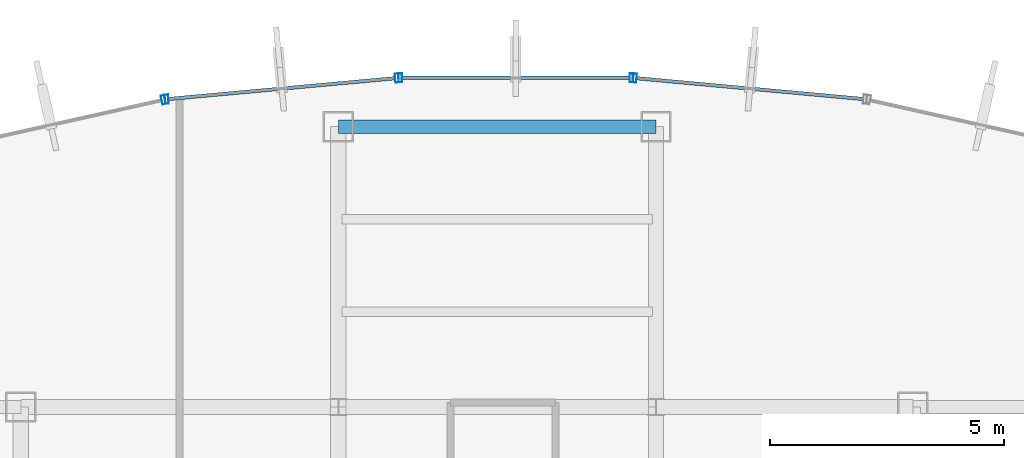
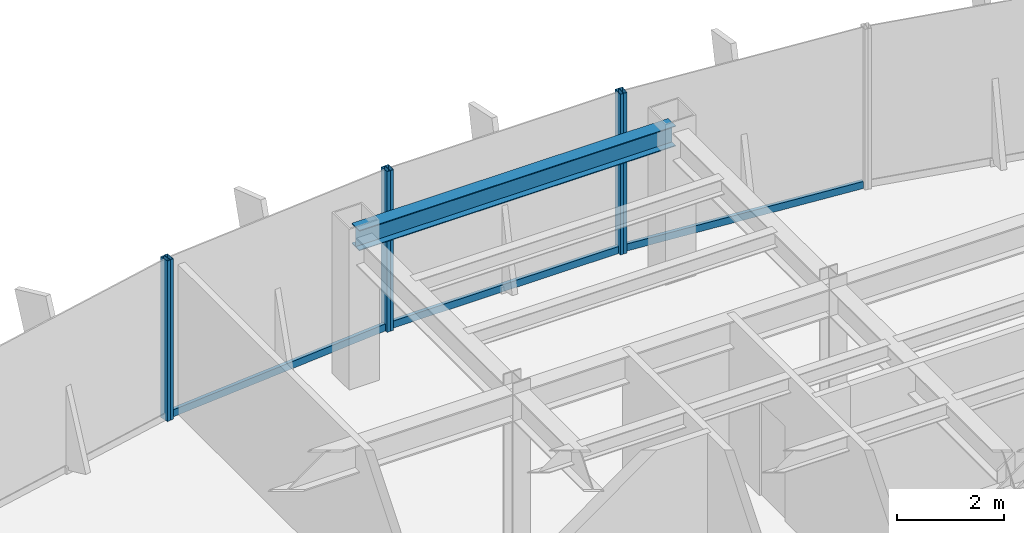
# One storey, part 16 of 25: 9 members, 1 beam, 4 elements without a shape of their own.
"""IFC4 building model written with IfcOpenShell, lengths in metres."""

from ifc_helpers import new_model, si_unit, derived_unit, direction, frame, origin, origin_2d, place, context, subcontext, project, spatial, hollow_rectangle, i_section, extrude, source, transform, mapped, material, material_profile, profile_set, type_object, element, aggregate, save


model = new_model("IFC4")

# Units and contexts
model_context = context("Model", 3, precision=1e-05, world=origin(), true_north=direction((0.0, 1.0)))
body_context = subcontext(model_context, "Body", "Model", "MODEL_VIEW")
ifc_project = project(units=[si_unit("LENGTHUNIT", "METRE"), si_unit("AREAUNIT", "SQUARE_METRE"), si_unit("VOLUMEUNIT", "CUBIC_METRE"), si_unit("PLANEANGLEUNIT", "RADIAN"), si_unit("MASSUNIT", "GRAM", prefix="KILO"), derived_unit("THERMALTRANSMITTANCEUNIT", [(si_unit("POWERUNIT", "WATT"), 1), (si_unit("LENGTHUNIT", "METRE"), -2), (si_unit("THERMODYNAMICTEMPERATUREUNIT", "KELVIN"), -1)])], contexts=[model_context])

# Site, building, storey
site_placement = place(None, origin())
site = spatial("IfcSite", under=ifc_project, at=site_placement, CompositionType="ELEMENT")
building_placement = place(site_placement, origin())
building = spatial("IfcBuilding", under=site, at=building_placement, Name="Skarnbrae Concourse Arena and Tower", CompositionType="ELEMENT")
storey_placement = place(building_placement, frame((0.0, 0.0, 147.89990234375)))
storey = spatial("IfcBuildingStorey", under=building, at=storey_placement, Name="L37", CompositionType="ELEMENT", Elevation=147.89990234375)

# Beam
ifc_material_1 = material(Name="Steel CSA G40.21 350W", Category="steel")
ifc_material_profile_1 = material_profile(ifc_material_1, i_section(OverallWidth=0.280029296875, OverallDepth=0.462890625, WebThickness=0.0107421875, FlangeThickness=0.017333984375, at=origin_2d()), Name="W460X113")
ifc_profile_set_1 = profile_set([ifc_material_profile_1], Name="Steel CSA G40.21 350W")
beam_type = type_object("IfcBeamType", Name="BM-SPAN-W460X113", PredefinedType="SPANDREL", material=ifc_profile_set_1)
shared_shape_1 = source(origin(), body_context, "Body", "SweptSolid", [
    extrude(i_section(OverallWidth=0.280029296875, OverallDepth=0.462890625, WebThickness=0.0107421875, FlangeThickness=0.017333984375, at=origin_2d()), origin(), (0.0, 0.0, 1.0), 6.800048828125),
])
beam_placement = place(storey_placement, frame((21.199951171875, 40.39990234375, 3.168701171875), z_axis=(1.0, 0.0, 0.0), x_axis=(0.0, 1.0, 0.0)))
element("IfcBeam", 1, at=beam_placement, inside=storey, type_object=beam_type, Name="L37 Perimeter spandrel Y40.4-1", PredefinedType="SPANDREL", context=body_context, shape_type="MappedRepresentation", body=[
    mapped(shared_shape_1, transform((0.0, 0.0, 0.0))),
])

# Curtain wall, member
ifc_material_2 = material(Name="Bronze anodised aluminium 6063-T6", Category="aluminium")
curtain_wall_type = type_object("IfcCurtainWallType", Name="CW-SYS-04-MIDZONE", PredefinedType="USERDEFINED", material=ifc_material_2)
curtain_wall_1_placement = place(storey_placement, origin())
curtain_wall_1 = element("IfcCurtainWall", 2, at=curtain_wall_1_placement, inside=storey, type_object=curtain_wall_type, Name="L37 Unitised curtain wall CW-L37-E10", ObjectType="UNITISED CURTAIN WALL", PredefinedType="USERDEFINED")
ifc_material_profile_2 = material_profile(ifc_material_2, hollow_rectangle(XDim=0.074951171875, YDim=0.195068359375, WallThickness=0.00439453125, at=origin_2d()), Name="ALU-MULL-75X195")
ifc_profile_set_2 = profile_set([ifc_material_profile_2], Name="Bronze anodised aluminium 6063-T6")
member_type_1 = type_object("IfcMemberType", Name="CWM-CW-04", PredefinedType="MULLION", material=ifc_profile_set_2)
shared_shape_2 = source(origin(), body_context, "Body", "SweptSolid", [
    extrude(hollow_rectangle(XDim=0.074951171875, YDim=0.195068359375, WallThickness=0.00439453125, at=origin_2d()), origin(), (0.0, 0.0, 1.0), 3.650146484375),
])
member_1_placement = place(storey_placement, frame((27.548583984375, 41.442138671875, 0.0), z_axis=(0.0, 0.0, 1.0), x_axis=(-0.995819926016, 0.091338244731, 0.0)))
member_1 = element("IfcMember", 3, at=member_1_placement, type_object=member_type_1, Name="CW-L37-E10 Mullion 2", PredefinedType="MULLION", context=body_context, shape_type="MappedRepresentation", body=[
    mapped(shared_shape_2, transform((0.0, 0.0, 0.0))),
])

# Curtain wall, members
curtain_wall_2_placement = place(storey_placement, origin())
curtain_wall_2 = element("IfcCurtainWall", 4, at=curtain_wall_2_placement, inside=storey, type_object=curtain_wall_type, Name="L37 Unitised curtain wall CW-L37-E11", ObjectType="UNITISED CURTAIN WALL", PredefinedType="USERDEFINED")
member_2_placement = place(storey_placement, frame((27.473876953125, 41.445556640625, 0.0), z_axis=(0.0, 0.0, 1.0), x_axis=(-1.0, 0.0, 0.0)))
member_2 = element("IfcMember", 5, at=member_2_placement, type_object=member_type_1, Name="CW-L37-E11 Mullion 1", PredefinedType="MULLION", context=body_context, shape_type="MappedRepresentation", body=[
    mapped(shared_shape_2, transform((0.0, 0.0, 0.0))),
])
member_3_placement = place(storey_placement, frame((22.526123046875, 41.445556640625, 0.0), z_axis=(0.0, 0.0, 1.0), x_axis=(-1.0, 0.0, 0.0)))
member_3 = element("IfcMember", 6, at=member_3_placement, type_object=member_type_1, Name="CW-L37-E11 Mullion 2", PredefinedType="MULLION", context=body_context, shape_type="MappedRepresentation", body=[
    mapped(shared_shape_2, transform((0.0, 0.0, 0.0))),
])

curtain_wall_3_placement = place(storey_placement, origin())
curtain_wall_3 = element("IfcCurtainWall", 7, at=curtain_wall_3_placement, inside=storey, type_object=curtain_wall_type, Name="L37 Unitised curtain wall CW-L37-E12", ObjectType="UNITISED CURTAIN WALL", PredefinedType="USERDEFINED")
member_4_placement = place(storey_placement, frame((22.451416015625, 41.442138671875, 0.0), z_axis=(0.0, 0.0, 1.0), x_axis=(-0.995819926016, -0.091338244731, 0.0)))
member_4 = element("IfcMember", 8, at=member_4_placement, type_object=member_type_1, Name="CW-L37-E12 Mullion 1", PredefinedType="MULLION", context=body_context, shape_type="MappedRepresentation", body=[
    mapped(shared_shape_2, transform((0.0, 0.0, 0.0))),
])
member_5_placement = place(storey_placement, frame((17.52490234375, 40.990234375, 0.0), z_axis=(0.0, 0.0, 1.0), x_axis=(-0.995819926016, -0.091338244731, 0.0)))
member_5 = element("IfcMember", 9, at=member_5_placement, type_object=member_type_1, Name="CW-L37-E12 Mullion 2", PredefinedType="MULLION", context=body_context, shape_type="MappedRepresentation", body=[
    mapped(shared_shape_2, transform((0.0, 0.0, 0.0))),
])

# Curtain wall, member
curtain_wall_4_placement = place(storey_placement, origin())
curtain_wall_4 = element("IfcCurtainWall", 10, at=curtain_wall_4_placement, inside=storey, type_object=curtain_wall_type, Name="L37 Unitised curtain wall CW-L37-E13", ObjectType="UNITISED CURTAIN WALL", PredefinedType="USERDEFINED")
member_6_placement = place(storey_placement, frame((17.451171875, 40.978759765625, 0.0), z_axis=(0.0, 0.0, 1.0), x_axis=(-0.975936175393, -0.218056372433, 0.0)))
member_6 = element("IfcMember", 11, at=member_6_placement, type_object=member_type_1, Name="CW-L37-E13 Mullion 1", PredefinedType="MULLION", context=body_context, shape_type="MappedRepresentation", body=[
    mapped(shared_shape_2, transform((0.0, 0.0, 0.0))),
])
aggregate(curtain_wall_4, [member_6])

# Member
ifc_material_profile_3 = material_profile(ifc_material_2, hollow_rectangle(XDim=0.074951171875, YDim=0.159912109375, WallThickness=0.00439453125, at=origin_2d()), Name="ALU-TRAN-75X160")
ifc_profile_set_3 = profile_set([ifc_material_profile_3], Name="Bronze anodised aluminium 6063-T6")
member_type_2 = type_object("IfcMemberType", Name="CWT-CW-04", PredefinedType="USERDEFINED", material=ifc_profile_set_3)
shared_shape_3 = source(origin(), body_context, "Body", "SweptSolid", [
    extrude(hollow_rectangle(XDim=0.074951171875, YDim=0.159912109375, WallThickness=0.00439453125, at=origin_2d()), origin(), (0.0, 0.0, 1.0), 4.871826171875),
])
member_7_placement = place(storey_placement, frame((32.4375, 40.993896484375, 0.080078125), z_axis=(-0.99582308224, 0.091303827287, 0.0), x_axis=(-0.091303827287, -0.99582308224, 0.0)))
member_7 = element("IfcMember", 12, at=member_7_placement, type_object=member_type_2, Name="CW-L37-E10 Transom 1", ObjectType="TRANSOM", PredefinedType="USERDEFINED", context=body_context, shape_type="MappedRepresentation", body=[
    mapped(shared_shape_3, transform((0.0, 0.0, 0.0))),
])

aggregate(curtain_wall_1, [member_1, member_7])

member_8_placement = place(storey_placement, frame((22.4140625, 41.438720703125, 0.080078125), z_axis=(-0.99582308224, -0.091303827287, 0.0), x_axis=(0.091303827287, -0.99582308224, 0.0)))
member_8 = element("IfcMember", 13, at=member_8_placement, type_object=member_type_2, Name="CW-L37-E12 Transom 1", ObjectType="TRANSOM", PredefinedType="USERDEFINED", context=body_context, shape_type="MappedRepresentation", body=[
    mapped(shared_shape_3, transform((0.0, 0.0, 0.0))),
])

aggregate(curtain_wall_3, [member_4, member_5, member_8])

shared_shape_4 = source(origin(), body_context, "Body", "SweptSolid", [
    extrude(hollow_rectangle(XDim=0.074951171875, YDim=0.159912109375, WallThickness=0.00439453125, at=origin_2d()), origin(), (0.0, 0.0, 1.0), 4.87255859375),
])
member_9_placement = place(storey_placement, frame((27.436279296875, 41.445556640625, 0.080078125), z_axis=(-1.0, 0.0, 0.0), x_axis=(0.0, -1.0, 0.0)))
member_9 = element("IfcMember", 14, at=member_9_placement, type_object=member_type_2, Name="CW-L37-E11 Transom 1", ObjectType="TRANSOM", PredefinedType="USERDEFINED", context=body_context, shape_type="MappedRepresentation", body=[
    mapped(shared_shape_4, transform((0.0, 0.0, 0.0))),
])

aggregate(curtain_wall_2, [member_2, member_3, member_9])

save(model, "model.ifc")
